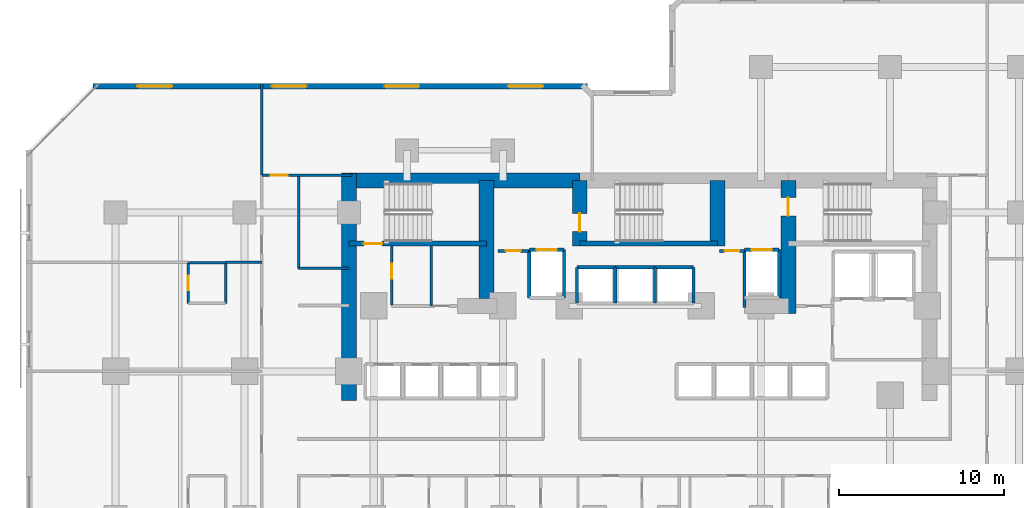
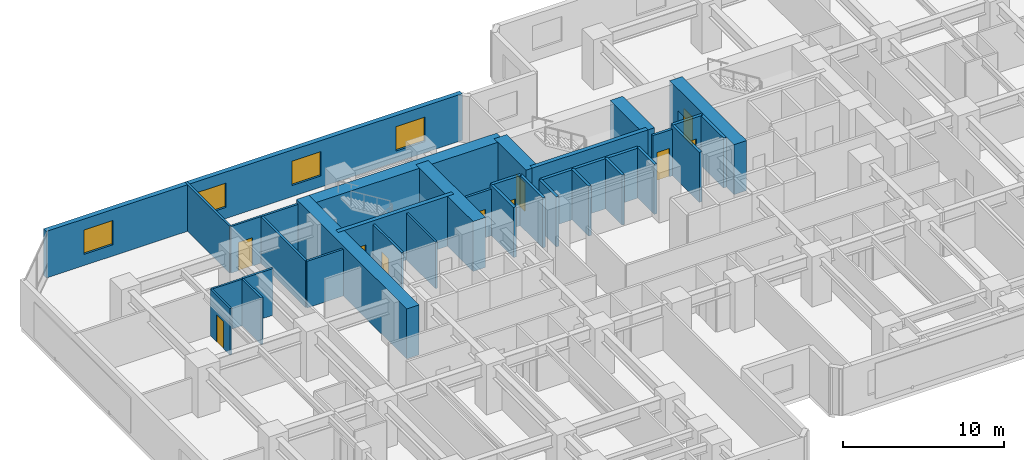
# One storey, part 8 of 12: 34 walls, 10 doors, 4 windows, 14 openings.
"""IFC4 building model written with IfcOpenShell, lengths in metres."""

from ifc_helpers import new_model, si_unit, direction, frame, frame_2d, origin, place, context, subcontext, project, spatial, rectangle, extrude, material, layer, layer_set, type_object, element, fill, save


model = new_model("IFC4")

# Units and contexts
model_context = context("Model", 3, precision=1e-05, world=origin(), true_north=direction((0.0, 1.0)))
body_context = subcontext(model_context, "Body", "Model", "MODEL_VIEW")
ifc_project = project(units=[si_unit("LENGTHUNIT", "METRE"), si_unit("AREAUNIT", "SQUARE_METRE"), si_unit("VOLUMEUNIT", "CUBIC_METRE"), si_unit("PLANEANGLEUNIT", "RADIAN"), si_unit("MASSUNIT", "GRAM", prefix="KILO")], contexts=[model_context])

# Site, building, storey
site_placement = place(None, origin())
site = spatial("IfcSite", under=ifc_project, at=site_placement, CompositionType="ELEMENT")
building_placement = place(site_placement, origin())
building = spatial("IfcBuilding", under=site, at=building_placement, Name="Kestravale Grand Hotel", CompositionType="ELEMENT")
storey_placement = place(building_placement, frame((0.0, 0.0, 33.60009765625)))
storey = spatial("IfcBuildingStorey", under=building, at=storey_placement, Name="L07", CompositionType="ELEMENT", Elevation=33.60009765625)

# Walls
ifc_material_1 = material(Name="Concrete f'c 70 MPa", Category="concrete")
ifc_layer_1 = layer(ifc_material_1, 0.89990234375)
ifc_layer_set_1 = layer_set([ifc_layer_1], Name="EW-CORE-900")
wall_type_1 = type_object("IfcWallType", Name="EW-CORE-900", PredefinedType="SHEAR", material=ifc_layer_set_1)
wall_1_placement = place(storey_placement, frame((21.449951171875, 40.320068359375, 0.0), z_axis=(0.0, 0.0, 1.0), x_axis=(1.0, 0.0, 0.0)))
element("IfcWall", 1, at=wall_1_placement, inside=storey, type_object=wall_type_1, Name="L07 core shear wall N1", PredefinedType="SHEAR", context=body_context, shape_type="SweptSolid", body=[
    extrude(rectangle(XDim=14.400146484375, YDim=0.89990234375, at=frame_2d((7.2001953125, 0.0))), origin(), (0.0, 0.0, 1.0), 3.7998046875),
])
wall_2_placement = place(storey_placement, frame((21.89990234375, 27.050048828125, 0.0), z_axis=(0.0, 0.0, 1.0), x_axis=(0.0, 1.0, 0.0)))
element("IfcWall", 2, at=wall_2_placement, inside=storey, type_object=wall_type_1, Name="L07 core shear wall W1", PredefinedType="SHEAR", context=body_context, shape_type="SweptSolid", body=[
    extrude(rectangle(XDim=13.719970703125, YDim=0.89990234375, at=frame_2d((6.85986328125, 0.0))), origin(), (0.0, 0.0, 1.0), 3.7998046875),
])
wall_3_placement = place(storey_placement, frame((30.219970703125, 33.199951171875, 0.0), z_axis=(0.0, 0.0, 1.0), x_axis=(0.0, 1.0, 0.0)))
element("IfcWall", 3, at=wall_3_placement, inside=storey, type_object=wall_type_1, Name="L07 core shear wall X1", PredefinedType="SHEAR", context=body_context, shape_type="SweptSolid", body=[
    extrude(rectangle(XDim=7.1201171875, YDim=0.89990234375, at=frame_2d((3.56005859375, 0.0))), origin(), (0.0, 0.0, 1.0), 3.7998046875),
])

# Wall, opening, door
wall_4_placement = place(storey_placement, frame((35.85009765625, 36.3701171875, 0.0), z_axis=(0.0, 0.0, 1.0), x_axis=(0.0, 1.0, 0.0)))
wall_4 = element("IfcWall", 4, at=wall_4_placement, inside=storey, type_object=wall_type_1, Name="L07 core shear wall X2", PredefinedType="SHEAR", context=body_context, shape_type="SweptSolid", body=[
    extrude(rectangle(XDim=3.949951171875, YDim=0.89990234375, at=frame_2d((1.97509765625, 0.0))), origin(), (0.0, 0.0, 1.0), 3.7998046875),
])
opening_1_placement = place(wall_4_placement, frame((0.8798828125, 0.0, 0.0)))
opening_1 = element("IfcOpeningElement", 5, at=opening_1_placement, cuts=wall_4, Name="Opening D-ST-1100", PredefinedType="OPENING", context=body_context, shape_type="SweptSolid", body=[
    extrude(rectangle(XDim=1.10009765625, YDim=2.14990234375, at=frame_2d((0.550048828125, 1.074951171875))), frame((0.0, 0.4599609375, 0.0), z_axis=(0.0, -1.0, 0.0), x_axis=(1.0, 0.0, 0.0)), (0.0, 0.0, 1.0), 0.919921875),
])
ifc_material_2 = material(Name="Galvanised 90-minute fire-rated steel stair door", Category="steel")
door_type_1 = type_object("IfcDoorType", Name="D-ST-1100", OperationType="NOTDEFINED", PredefinedType="DOOR", material=ifc_material_2)
door_1_placement = place(opening_1_placement, origin())
door_1 = element("IfcDoor", 6, at=door_1_placement, inside=storey, type_object=door_type_1, Name="L07 Stair ST-2 FSAE fire door", OperationType="SINGLE_SWING_RIGHT", OverallHeight=2.14990234375, OverallWidth=1.10009765625, PredefinedType="DOOR", context=body_context, shape_type="SweptSolid", body=[
    extrude(rectangle(XDim=1.10009765625, YDim=2.14990234375, at=frame_2d((0.550048828125, 1.074951171875))), frame((0.0, 0.02490234375, 0.0), z_axis=(0.0, -1.0, 0.0), x_axis=(1.0, 0.0, 0.0)), (0.0, 0.0, 1.0), 0.050048828125),
])
fill(opening_1, door_1)

# Wall
wall_5_placement = place(storey_placement, frame((44.179931640625, 36.3701171875, 0.0), z_axis=(0.0, 0.0, 1.0), x_axis=(0.0, 1.0, 0.0)))
element("IfcWall", 7, at=wall_5_placement, inside=storey, type_object=wall_type_1, Name="L07 core shear wall X3", PredefinedType="SHEAR", context=body_context, shape_type="SweptSolid", body=[
    extrude(rectangle(XDim=3.949951171875, YDim=0.89990234375, at=frame_2d((1.97509765625, 0.0))), origin(), (0.0, 0.0, 1.0), 3.7998046875),
])

# Wall, opening, door
wall_6_placement = place(storey_placement, frame((48.449951171875, 32.300048828125, 0.0), z_axis=(0.0, 0.0, 1.0), x_axis=(0.0, 1.0, 0.0)))
wall_6 = element("IfcWall", 8, at=wall_6_placement, inside=storey, type_object=wall_type_1, Name="L07 core shear wall X4", PredefinedType="SHEAR", context=body_context, shape_type="SweptSolid", body=[
    extrude(rectangle(XDim=8.02001953125, YDim=0.89990234375, at=frame_2d((4.010009765625, 0.0))), origin(), (0.0, 0.0, 1.0), 3.7998046875),
])
opening_2_placement = place(wall_6_placement, frame((5.89990234375, 0.0, 0.0)))
opening_2 = element("IfcOpeningElement", 9, at=opening_2_placement, cuts=wall_6, Name="Opening D-ST-1100", PredefinedType="OPENING", context=body_context, shape_type="SweptSolid", body=[
    extrude(rectangle(XDim=1.10009765625, YDim=2.14990234375, at=frame_2d((0.550048828125, 1.074951171875))), frame((0.0, 0.4599609375, 0.0), z_axis=(0.0, -1.0, 0.0), x_axis=(1.0, 0.0, 0.0)), (0.0, 0.0, 1.0), 0.919921875),
])
door_2_placement = place(opening_2_placement, origin())
door_2 = element("IfcDoor", 10, at=door_2_placement, inside=storey, type_object=door_type_1, Name="L07 Stair ST-3 FSAE fire door", OperationType="SINGLE_SWING_RIGHT", OverallHeight=2.14990234375, OverallWidth=1.10009765625, PredefinedType="DOOR", context=body_context, shape_type="SweptSolid", body=[
    extrude(rectangle(XDim=1.10009765625, YDim=2.14990234375, at=frame_2d((0.550048828125, 1.074951171875))), frame((0.0, 0.02490234375, 0.0), z_axis=(0.0, -1.0, 0.0), x_axis=(1.0, 0.0, 0.0)), (0.0, 0.0, 1.0), 0.050048828125),
])
fill(opening_2, door_2)

# Wall, openings, windows
ifc_material_3 = material(Name="Precast concrete f'c 45 MPa", Category="concrete")
ifc_layer_2 = layer(ifc_material_3, 0.340087890625)
ifc_layer_set_2 = layer_set([ifc_layer_2], Name="EW-PREC-340")
wall_type_2 = type_object("IfcWallType", Name="EW-PREC-340", PredefinedType="SOLIDWALL", material=ifc_layer_set_2)
wall_7_placement = place(storey_placement, frame((36.320068359375, 46.030029296875, 0.0), z_axis=(0.0, 0.0, 1.0), x_axis=(-1.0, 0.0, 0.0)))
wall_7 = element("IfcWall", 11, at=wall_7_placement, inside=storey, type_object=wall_type_2, Name="L07 fluted precast facade wall 17", PredefinedType="SOLIDWALL", context=body_context, shape_type="SweptSolid", body=[
    extrude(rectangle(XDim=29.89013671875, YDim=0.340087890625, at=frame_2d((14.945068359375, 0.0))), origin(), (0.0, 0.0, 1.0), 3.539794921875),
])
opening_3_placement = place(wall_7_placement, frame((2.686279296875, 0.0, 0.85009765625)))
opening_3 = element("IfcOpeningElement", 12, at=opening_3_placement, cuts=wall_7, Name="Opening W-GUEST-2100", PredefinedType="OPENING", context=body_context, shape_type="SweptSolid", body=[
    extrude(rectangle(XDim=2.10009765625, YDim=1.85009765625, at=frame_2d((1.050048828125, 0.925048828125))), frame((0.0, 0.179931640625, 0.0), z_axis=(0.0, -1.0, 0.0), x_axis=(1.0, 0.0, 0.0)), (0.0, 0.0, 1.0), 0.360107421875),
])
opening_4_placement = place(wall_7_placement, frame((10.15869140625, 0.0, 0.85009765625)))
opening_4 = element("IfcOpeningElement", 13, at=opening_4_placement, cuts=wall_7, Name="Opening W-GUEST-2100", PredefinedType="OPENING", context=body_context, shape_type="SweptSolid", body=[
    extrude(rectangle(XDim=2.10009765625, YDim=1.85009765625, at=frame_2d((1.050048828125, 0.925048828125))), frame((0.0, 0.179931640625, 0.0), z_axis=(0.0, -1.0, 0.0), x_axis=(1.0, 0.0, 0.0)), (0.0, 0.0, 1.0), 0.360107421875),
])
opening_5_placement = place(wall_7_placement, frame((16.981201171875, 0.0, 0.85009765625)))
opening_5 = element("IfcOpeningElement", 14, at=opening_5_placement, cuts=wall_7, Name="Opening W-GUEST-2100", PredefinedType="OPENING", context=body_context, shape_type="SweptSolid", body=[
    extrude(rectangle(XDim=2.10009765625, YDim=1.85009765625, at=frame_2d((1.050048828125, 0.925048828125))), frame((0.0, 0.179931640625, 0.0), z_axis=(0.0, -1.0, 0.0), x_axis=(1.0, 0.0, 0.0)), (0.0, 0.0, 1.0), 0.360107421875),
])
opening_6_placement = place(wall_7_placement, frame((25.103759765625, 0.0, 0.85009765625)))
opening_6 = element("IfcOpeningElement", 15, at=opening_6_placement, cuts=wall_7, Name="Opening W-GUEST-2100", PredefinedType="OPENING", context=body_context, shape_type="SweptSolid", body=[
    extrude(rectangle(XDim=2.10009765625, YDim=1.85009765625, at=frame_2d((1.050048828125, 0.925048828125))), frame((0.0, 0.179931640625, 0.0), z_axis=(0.0, -1.0, 0.0), x_axis=(1.0, 0.0, 0.0)), (0.0, 0.0, 1.0), 0.360107421875),
])
ifc_material_4 = material(Name="Insulated low-E double glazing in aluminium frame", Category="aluminium")
window_type = type_object("IfcWindowType", Name="W-GUEST-2100", PartitioningType="DOUBLE_PANEL_VERTICAL", PredefinedType="WINDOW", material=ifc_material_4)
window_1_placement = place(opening_3_placement, origin())
window_1 = element("IfcWindow", 16, at=window_1_placement, inside=storey, type_object=window_type, Name="L07 exterior window 17.1", OverallHeight=1.85009765625, OverallWidth=2.10009765625, PartitioningType="SINGLE_PANEL", PredefinedType="WINDOW", context=body_context, shape_type="SweptSolid", body=[
    extrude(rectangle(XDim=2.10009765625, YDim=1.85009765625, at=frame_2d((1.050048828125, 0.925048828125))), frame((0.0, 0.030029296875, 0.0), z_axis=(0.0, -1.0, 0.0), x_axis=(1.0, 0.0, 0.0)), (0.0, 0.0, 1.0), 0.06005859375),
])
fill(opening_3, window_1)
window_2_placement = place(opening_4_placement, origin())
window_2 = element("IfcWindow", 17, at=window_2_placement, inside=storey, type_object=window_type, Name="L07 exterior window 17.2", OverallHeight=1.85009765625, OverallWidth=2.10009765625, PartitioningType="SINGLE_PANEL", PredefinedType="WINDOW", context=body_context, shape_type="SweptSolid", body=[
    extrude(rectangle(XDim=2.10009765625, YDim=1.85009765625, at=frame_2d((1.050048828125, 0.925048828125))), frame((0.0, 0.030029296875, 0.0), z_axis=(0.0, -1.0, 0.0), x_axis=(1.0, 0.0, 0.0)), (0.0, 0.0, 1.0), 0.06005859375),
])
fill(opening_4, window_2)
window_3_placement = place(opening_5_placement, origin())
window_3 = element("IfcWindow", 18, at=window_3_placement, inside=storey, type_object=window_type, Name="L07 exterior window 17.3", OverallHeight=1.85009765625, OverallWidth=2.10009765625, PartitioningType="SINGLE_PANEL", PredefinedType="WINDOW", context=body_context, shape_type="SweptSolid", body=[
    extrude(rectangle(XDim=2.10009765625, YDim=1.85009765625, at=frame_2d((1.050048828125, 0.925048828125))), frame((0.0, 0.030029296875, 0.0), z_axis=(0.0, -1.0, 0.0), x_axis=(1.0, 0.0, 0.0)), (0.0, 0.0, 1.0), 0.06005859375),
])
fill(opening_5, window_3)
window_4_placement = place(opening_6_placement, origin())
window_4 = element("IfcWindow", 19, at=window_4_placement, inside=storey, type_object=window_type, Name="L07 exterior window 17.4", OverallHeight=1.85009765625, OverallWidth=2.10009765625, PartitioningType="SINGLE_PANEL", PredefinedType="WINDOW", context=body_context, shape_type="SweptSolid", body=[
    extrude(rectangle(XDim=2.10009765625, YDim=1.85009765625, at=frame_2d((1.050048828125, 0.925048828125))), frame((0.0, 0.030029296875, 0.0), z_axis=(0.0, -1.0, 0.0), x_axis=(1.0, 0.0, 0.0)), (0.0, 0.0, 1.0), 0.06005859375),
])
fill(opening_6, window_4)

# Wall, opening, door
ifc_material_5 = material(Name="Concrete f'c 45 MPa", Category="concrete")
ifc_layer_3 = layer(ifc_material_5, 0.300048828125)
ifc_layer_set_3 = layer_set([ifc_layer_3], Name="EW-STAIR-300")
wall_type_3 = type_object("IfcWallType", Name="EW-STAIR-300", PredefinedType="SHEAR", material=ifc_layer_set_3)
wall_8_placement = place(storey_placement, frame((21.89990234375, 36.52001953125, 0.0), z_axis=(0.0, 0.0, 1.0), x_axis=(1.0, 0.0, 0.0)))
wall_8 = element("IfcWall", 20, at=wall_8_placement, inside=storey, type_object=wall_type_3, Name="L07 stair enclosure shear wall SST1", PredefinedType="SHEAR", context=body_context, shape_type="SweptSolid", body=[
    extrude(rectangle(XDim=8.320068359375, YDim=0.300048828125, at=frame_2d((4.16015625, 0.0))), origin(), (0.0, 0.0, 1.0), 3.7998046875),
])
opening_7_placement = place(wall_8_placement, frame((0.89990234375, 0.0, 0.0)))
opening_7 = element("IfcOpeningElement", 21, at=opening_7_placement, cuts=wall_8, Name="Opening D-ST-1100", PredefinedType="OPENING", context=body_context, shape_type="SweptSolid", body=[
    extrude(rectangle(XDim=1.10009765625, YDim=2.14990234375, at=frame_2d((0.550048828125, 1.074951171875))), frame((0.0, 0.159912109375, 0.0), z_axis=(0.0, -1.0, 0.0), x_axis=(1.0, 0.0, 0.0)), (0.0, 0.0, 1.0), 0.320068359375),
])
door_3_placement = place(opening_7_placement, origin())
door_3 = element("IfcDoor", 22, at=door_3_placement, inside=storey, type_object=door_type_1, Name="L07 Stair ST-1 fire door", OperationType="SINGLE_SWING_RIGHT", OverallHeight=2.14990234375, OverallWidth=1.10009765625, PredefinedType="DOOR", context=body_context, shape_type="SweptSolid", body=[
    extrude(rectangle(XDim=1.10009765625, YDim=2.14990234375, at=frame_2d((0.550048828125, 1.074951171875))), frame((0.0, 0.02490234375, 0.0), z_axis=(0.0, -1.0, 0.0), x_axis=(1.0, 0.0, 0.0)), (0.0, 0.0, 1.0), 0.050048828125),
])
fill(opening_7, door_3)

# Wall
wall_9_placement = place(storey_placement, frame((35.85009765625, 36.52001953125, 0.0), z_axis=(0.0, 0.0, 1.0), x_axis=(1.0, 0.0, 0.0)))
element("IfcWall", 23, at=wall_9_placement, inside=storey, type_object=wall_type_3, Name="L07 stair enclosure shear wall SST2", PredefinedType="SHEAR", context=body_context, shape_type="SweptSolid", body=[
    extrude(rectangle(XDim=8.329833984375, YDim=0.300048828125, at=frame_2d((4.1650390625, 0.0))), origin(), (0.0, 0.0, 1.0), 3.7998046875),
])

# Wall, opening, door
ifc_material_6 = material(Name="Acoustic fire-rated gypsum board partition", Category="other")
ifc_layer_4 = layer(ifc_material_6, 0.159912109375)
ifc_layer_set_4 = layer_set([ifc_layer_4], Name="IW-CORR-160")
wall_type_4 = type_object("IfcWallType", Name="IW-CORR-160", PredefinedType="PARTITIONING", material=ifc_layer_set_4)
wall_10_placement = place(storey_placement, frame((24.47998046875, 32.800048828125, 0.0), z_axis=(0.0, 0.0, 1.0), x_axis=(0.0, 1.0, 0.0)))
wall_10 = element("IfcWall", 24, at=wall_10_placement, inside=storey, type_object=wall_type_4, Name="L07 west core vestibule wall", PredefinedType="PARTITIONING", context=body_context, shape_type="SweptSolid", body=[
    extrude(rectangle(XDim=3.570068359375, YDim=0.159912109375, at=frame_2d((1.78515625, 0.0))), origin(), (0.0, 0.0, 1.0), 3.539794921875),
])
opening_8_placement = place(wall_10_placement, frame((1.603515625, 0.0, 0.0)))
opening_8 = element("IfcOpeningElement", 25, at=opening_8_placement, cuts=wall_10, Name="Opening D-SH-900", PredefinedType="OPENING", context=body_context, shape_type="SweptSolid", body=[
    extrude(rectangle(XDim=0.89990234375, YDim=2.10009765625, at=frame_2d((0.449951171875, 1.050048828125))), frame((0.0, 0.08984375, 0.0), z_axis=(0.0, -1.0, 0.0), x_axis=(1.0, 0.0, 0.0)), (0.0, 0.0, 1.0), 0.179931640625),
])
ifc_material_7 = material(Name="Galvanised 90-minute shaft and service fire door", Category="steel")
door_type_2 = type_object("IfcDoorType", Name="D-SH-900", OperationType="NOTDEFINED", PredefinedType="DOOR", material=ifc_material_7)
door_4_placement = place(opening_8_placement, origin())
door_4 = element("IfcDoor", 26, at=door_4_placement, inside=storey, type_object=door_type_2, Name="D-L07-HK", OperationType="SINGLE_SWING_RIGHT", OverallHeight=2.10009765625, OverallWidth=0.89990234375, PredefinedType="DOOR", context=body_context, shape_type="SweptSolid", body=[
    extrude(rectangle(XDim=0.89990234375, YDim=2.10009765625, at=frame_2d((0.449951171875, 1.050048828125))), frame((0.0, 0.02490234375, 0.0), z_axis=(0.0, -1.0, 0.0), x_axis=(1.0, 0.0, 0.0)), (0.0, 0.0, 1.0), 0.050048828125),
])
fill(opening_8, door_4)

# Walls
wall_11_placement = place(storey_placement, frame((18.860107421875, 35.02001953125, 0.0), z_axis=(0.0, 0.0, 1.0), x_axis=(0.0, 1.0, 0.0)))
element("IfcWall", 27, at=wall_11_placement, inside=storey, type_object=wall_type_4, Name="W-L07-SW-EN", PredefinedType="PARTITIONING", context=body_context, shape_type="SweptSolid", body=[
    extrude(rectangle(XDim=5.6298828125, YDim=0.159912109375, at=frame_2d((2.81494140625, 0.0))), origin(), (0.0, 0.0, 1.0), 3.539794921875),
])
wall_12_placement = place(storey_placement, frame((18.860107421875, 35.02001953125, 0.0), z_axis=(0.0, 0.0, 1.0), x_axis=(1.0, 0.0, 0.0)))
element("IfcWall", 28, at=wall_12_placement, inside=storey, type_object=wall_type_4, Name="W-L07-SW-CN", PredefinedType="PARTITIONING", context=body_context, shape_type="SweptSolid", body=[
    extrude(rectangle(XDim=3.039794921875, YDim=0.159912109375, at=frame_2d((1.52001953125, 0.0))), origin(), (0.0, 0.0, 1.0), 3.539794921875),
])

# Wall, opening, door
ifc_material_8 = material(Name="Fire-rated gypsum board on steel studs with mineral wool", Category="steel")
ifc_layer_5 = layer(ifc_material_8, 0.179931640625)
ifc_layer_set_5 = layer_set([ifc_layer_5], Name="IW-FSAE-180")
wall_type_5 = type_object("IfcWallType", Name="IW-FSAE-180", PredefinedType="PARTITIONING", material=ifc_layer_set_5)
wall_13_placement = place(storey_placement, frame((30.89990234375, 36.080078125, 0.0), z_axis=(0.0, 0.0, 1.0), x_axis=(1.0, 0.0, 0.0)))
wall_13 = element("IfcWall", 29, at=wall_13_placement, inside=storey, type_object=wall_type_5, Name="L07 FSAE Lobby 1 smoke barrier", PredefinedType="PARTITIONING", context=body_context, shape_type="SweptSolid", body=[
    extrude(rectangle(XDim=1.85009765625, YDim=0.179931640625, at=frame_2d((0.925048828125, 0.0))), origin(), (0.0, 0.0, 1.0), 3.539794921875),
])
opening_9_placement = place(wall_13_placement, frame((0.47998046875, 0.0, 0.0)))
opening_9 = element("IfcOpeningElement", 30, at=opening_9_placement, cuts=wall_13, Name="Opening D-FSAE-1000", PredefinedType="OPENING", context=body_context, shape_type="SweptSolid", body=[
    extrude(rectangle(XDim=0.89990234375, YDim=2.14990234375, at=frame_2d((0.449951171875, 1.074951171875))), frame((0.0, 0.099853515625, 0.0), z_axis=(0.0, -1.0, 0.0), x_axis=(1.0, 0.0, 0.0)), (0.0, 0.0, 1.0), 0.199951171875),
])
ifc_material_9 = material(Name="Smoke-gasketed FSAE lobby fire door", Category="steel")
door_type_3 = type_object("IfcDoorType", Name="D-FSAE-1000", OperationType="NOTDEFINED", PredefinedType="DOOR", material=ifc_material_9)
door_5_placement = place(opening_9_placement, origin())
door_5 = element("IfcDoor", 31, at=door_5_placement, inside=storey, type_object=door_type_3, Name="L07 FSAE Lobby 1 fire door", OperationType="SINGLE_SWING_RIGHT", OverallHeight=2.14990234375, OverallWidth=0.89990234375, PredefinedType="DOOR", context=body_context, shape_type="SweptSolid", body=[
    extrude(rectangle(XDim=0.89990234375, YDim=2.14990234375, at=frame_2d((0.449951171875, 1.074951171875))), frame((0.0, 0.02490234375, 0.0), z_axis=(0.0, -1.0, 0.0), x_axis=(1.0, 0.0, 0.0)), (0.0, 0.0, 1.0), 0.050048828125),
])
fill(opening_9, door_5)

wall_14_placement = place(storey_placement, frame((44.300048828125, 36.080078125, 0.0), z_axis=(0.0, 0.0, 1.0), x_axis=(1.0, 0.0, 0.0)))
wall_14 = element("IfcWall", 32, at=wall_14_placement, inside=storey, type_object=wall_type_5, Name="L07 FSAE Lobby 2 smoke barrier", PredefinedType="PARTITIONING", context=body_context, shape_type="SweptSolid", body=[
    extrude(rectangle(XDim=1.5, YDim=0.179931640625, at=frame_2d((0.75, 0.0))), origin(), (0.0, 0.0, 1.0), 3.539794921875),
])
opening_10_placement = place(wall_14_placement, frame((0.300048828125, 0.0, 0.0)))
opening_10 = element("IfcOpeningElement", 33, at=opening_10_placement, cuts=wall_14, Name="Opening D-FSAE-1000", PredefinedType="OPENING", context=body_context, shape_type="SweptSolid", body=[
    extrude(rectangle(XDim=0.89990234375, YDim=2.14990234375, at=frame_2d((0.449951171875, 1.074951171875))), frame((0.0, 0.099853515625, 0.0), z_axis=(0.0, -1.0, 0.0), x_axis=(1.0, 0.0, 0.0)), (0.0, 0.0, 1.0), 0.199951171875),
])
door_6_placement = place(opening_10_placement, origin())
door_6 = element("IfcDoor", 34, at=door_6_placement, inside=storey, type_object=door_type_3, Name="L07 FSAE Lobby 2 fire door", OperationType="SINGLE_SWING_LEFT", OverallHeight=2.14990234375, OverallWidth=0.89990234375, PredefinedType="DOOR", context=body_context, shape_type="SweptSolid", body=[
    extrude(rectangle(XDim=0.89990234375, YDim=2.14990234375, at=frame_2d((0.449951171875, 1.074951171875))), frame((0.0, 0.02490234375, 0.0), z_axis=(0.0, -1.0, 0.0), x_axis=(1.0, 0.0, 0.0)), (0.0, 0.0, 1.0), 0.050048828125),
])
fill(opening_10, door_6)

ifc_material_10 = material(Name="Moisture-resistant tile-backer plumbing chase wall", Category="other")
ifc_layer_6 = layer(ifc_material_10, 0.139892578125)
ifc_layer_set_6 = layer_set([ifc_layer_6], Name="IW-PLB-140")
wall_type_6 = type_object("IfcWallType", Name="IW-PLB-140", PredefinedType="PLUMBINGWALL", material=ifc_layer_set_6)
wall_15_placement = place(storey_placement, frame((12.199951171875, 32.909912109375, 0.0), z_axis=(0.0, 0.0, 1.0), x_axis=(0.0, 1.0, 0.0)))
wall_15 = element("IfcWall", 35, at=wall_15_placement, inside=storey, type_object=wall_type_6, Name="W-L07-U09-BW", PredefinedType="PLUMBINGWALL", context=body_context, shape_type="SweptSolid", body=[
    extrude(rectangle(XDim=2.4501953125, YDim=0.139892578125, at=frame_2d((1.22509765625, 0.0))), origin(), (0.0, 0.0, 1.0), 3.539794921875),
])
opening_11_placement = place(wall_15_placement, frame((0.784912109375, 0.0, 0.0)))
opening_11 = element("IfcOpeningElement", 36, at=opening_11_placement, cuts=wall_15, Name="Opening D-BATH-880", PredefinedType="OPENING", context=body_context, shape_type="SweptSolid", body=[
    extrude(rectangle(XDim=0.8798828125, YDim=2.050048828125, at=frame_2d((0.43994140625, 1.02490234375))), frame((0.0, 0.079833984375, 0.0), z_axis=(0.0, -1.0, 0.0), x_axis=(1.0, 0.0, 0.0)), (0.0, 0.0, 1.0), 0.159912109375),
])
ifc_material_11 = material(Name="Moisture-sealed walnut en-suite bathroom door", Category="wood")
door_type_4 = type_object("IfcDoorType", Name="D-BATH-880", OperationType="NOTDEFINED", PredefinedType="DOOR", material=ifc_material_11)
door_7_placement = place(opening_11_placement, origin())
door_7 = element("IfcDoor", 37, at=door_7_placement, inside=storey, type_object=door_type_4, Name="D-L07-U09-BATH", OperationType="SINGLE_SWING_LEFT", OverallHeight=2.050048828125, OverallWidth=0.8798828125, PredefinedType="DOOR", context=body_context, shape_type="SweptSolid", body=[
    extrude(rectangle(XDim=0.8798828125, YDim=2.050048828125, at=frame_2d((0.43994140625, 1.02490234375))), frame((0.0, 0.02490234375, 0.0), z_axis=(0.0, -1.0, 0.0), x_axis=(1.0, 0.0, 0.0)), (0.0, 0.0, 1.0), 0.050048828125),
])
fill(opening_11, door_7)

# Walls
wall_16_placement = place(storey_placement, frame((14.449951171875, 32.909912109375, 0.0), z_axis=(0.0, 0.0, 1.0), x_axis=(0.0, 1.0, 0.0)))
element("IfcWall", 38, at=wall_16_placement, inside=storey, type_object=wall_type_6, Name="W-L07-U09-BE", PredefinedType="PLUMBINGWALL", context=body_context, shape_type="SweptSolid", body=[
    extrude(rectangle(XDim=2.4501953125, YDim=0.139892578125, at=frame_2d((1.22509765625, 0.0))), origin(), (0.0, 0.0, 1.0), 3.539794921875),
])
wall_17_placement = place(storey_placement, frame((12.199951171875, 35.360107421875, 0.0), z_axis=(0.0, 0.0, 1.0), x_axis=(1.0, 0.0, 0.0)))
element("IfcWall", 39, at=wall_17_placement, inside=storey, type_object=wall_type_6, Name="W-L07-U09-BN", PredefinedType="PLUMBINGWALL", context=body_context, shape_type="SweptSolid", body=[
    extrude(rectangle(XDim=2.25, YDim=0.139892578125, at=frame_2d((1.125, 0.0))), origin(), (0.0, 0.0, 1.0), 3.539794921875),
])
ifc_material_12 = material(Name="Concrete f'c 45 MPa", Category="concrete")
ifc_layer_7 = layer(ifc_material_12, 0.199951171875)
ifc_layer_set_7 = layer_set([ifc_layer_7], Name="IW-SHAFT-200")
wall_type_7 = type_object("IfcWallType", Name="IW-SHAFT-200", PredefinedType="SHEAR", material=ifc_layer_set_7)
for number, where, z_axis, x_axis, name in (
    (40, (35.679931640625, 32.919921875, 0.0), (0.0, 0.0, 1.0), (0.0, 1.0, 0.0), "L07 PL-X1 west shaft wall"),
    (41, (38.0, 32.919921875, 0.0), (0.0, 0.0, 1.0), (0.0, 1.0, 0.0), "L07 PL-X2 west shaft wall"),
    (42, (40.39990234375, 32.919921875, 0.0), (0.0, 0.0, 1.0), (0.0, 1.0, 0.0), "L07 PL-X3 west shaft wall"),
    (43, (42.719970703125, 32.919921875, 0.0), (0.0, 0.0, 1.0), (0.0, 1.0, 0.0), "L07 PL-X3 east shaft wall"),
):
    element("IfcWall", number, at=place(storey_placement, frame(where, z_axis=z_axis, x_axis=x_axis)), inside=storey, type_object=wall_type_7, Name=name, PredefinedType="SHEAR", context=body_context, shape_type="SweptSolid", body=[
        extrude(rectangle(XDim=2.16015625, YDim=0.199951171875, at=frame_2d((1.080078125, 0.0))), origin(), (0.0, 0.0, 1.0), 3.7998046875),
    ])
for number, where, z_axis, x_axis, name in (
    (44, (32.804931640625, 33.2451171875, 0.0), (0.0, 0.0, 1.0), (0.0, 1.0, 0.0), "L07 FL-1 west shaft wall"),
    (45, (34.89501953125, 33.2451171875, 0.0), (0.0, 0.0, 1.0), (0.0, 1.0, 0.0), "L07 FL-1 east shaft wall"),
):
    element("IfcWall", number, at=place(storey_placement, frame(where, z_axis=z_axis, x_axis=x_axis)), inside=storey, type_object=wall_type_7, Name=name, PredefinedType="SHEAR", context=body_context, shape_type="SweptSolid", body=[
        extrude(rectangle(XDim=2.909912109375, YDim=0.199951171875, at=frame_2d((1.455078125, 0.0))), origin(), (0.0, 0.0, 1.0), 3.7998046875),
    ])
wall_18_placement = place(storey_placement, frame((45.804931640625, 32.64990234375, 0.0), z_axis=(0.0, 0.0, 1.0), x_axis=(0.0, 1.0, 0.0)))
element("IfcWall", 46, at=wall_18_placement, inside=storey, type_object=wall_type_7, Name="L07 FL-2 west shaft wall", PredefinedType="SHEAR", context=body_context, shape_type="SweptSolid", body=[
    extrude(rectangle(XDim=3.505126953125, YDim=0.199951171875, at=frame_2d((1.75244140625, 0.0))), origin(), (0.0, 0.0, 1.0), 3.7998046875),
])
wall_19_placement = place(storey_placement, frame((47.89501953125, 33.2451171875, 0.0), z_axis=(0.0, 0.0, 1.0), x_axis=(0.0, 1.0, 0.0)))
element("IfcWall", 47, at=wall_19_placement, inside=storey, type_object=wall_type_7, Name="L07 FL-2 east shaft wall", PredefinedType="SHEAR", context=body_context, shape_type="SweptSolid", body=[
    extrude(rectangle(XDim=2.909912109375, YDim=0.199951171875, at=frame_2d((1.455078125, 0.0))), origin(), (0.0, 0.0, 1.0), 3.7998046875),
])
ifc_material_13 = material(Name="Concrete f'c 45 MPa", Category="concrete")
ifc_layer_8 = layer(ifc_material_13, 0.219970703125)
ifc_layer_set_8 = layer_set([ifc_layer_8], Name="IW-SHAFT-220")
wall_type_8 = type_object("IfcWallType", Name="IW-SHAFT-220", PredefinedType="SHEAR", material=ifc_layer_set_8)
wall_20_placement = place(storey_placement, frame((35.679931640625, 35.080078125, 0.0), z_axis=(0.0, 0.0, 1.0), x_axis=(1.0, 0.0, 0.0)))
element("IfcWall", 48, at=wall_20_placement, inside=storey, type_object=wall_type_8, Name="L07 PL-X1 north shaft wall", PredefinedType="SHEAR", context=body_context, shape_type="SweptSolid", body=[
    extrude(rectangle(XDim=2.320068359375, YDim=0.219970703125, at=frame_2d((1.16015625, 0.0))), origin(), (0.0, 0.0, 1.0), 3.7998046875),
])
wall_21_placement = place(storey_placement, frame((38.0, 35.080078125, 0.0), z_axis=(0.0, 0.0, 1.0), x_axis=(1.0, 0.0, 0.0)))
element("IfcWall", 49, at=wall_21_placement, inside=storey, type_object=wall_type_8, Name="L07 PL-X2 north shaft wall", PredefinedType="SHEAR", context=body_context, shape_type="SweptSolid", body=[
    extrude(rectangle(XDim=2.39990234375, YDim=0.219970703125, at=frame_2d((1.199951171875, 0.0))), origin(), (0.0, 0.0, 1.0), 3.7998046875),
])
wall_22_placement = place(storey_placement, frame((40.39990234375, 35.080078125, 0.0), z_axis=(0.0, 0.0, 1.0), x_axis=(1.0, 0.0, 0.0)))
element("IfcWall", 50, at=wall_22_placement, inside=storey, type_object=wall_type_8, Name="L07 PL-X3 north shaft wall", PredefinedType="SHEAR", context=body_context, shape_type="SweptSolid", body=[
    extrude(rectangle(XDim=2.320068359375, YDim=0.219970703125, at=frame_2d((1.16015625, 0.0))), origin(), (0.0, 0.0, 1.0), 3.7998046875),
])

# Wall, opening, door
wall_23_placement = place(storey_placement, frame((32.804931640625, 36.155029296875, 0.0), z_axis=(0.0, 0.0, 1.0), x_axis=(1.0, 0.0, 0.0)))
wall_23 = element("IfcWall", 51, at=wall_23_placement, inside=storey, type_object=wall_type_8, Name="L07 FL-1 north shaft wall", PredefinedType="SHEAR", context=body_context, shape_type="SweptSolid", body=[
    extrude(rectangle(XDim=2.090087890625, YDim=0.219970703125, at=frame_2d((1.044921875, 0.0))), origin(), (0.0, 0.0, 1.0), 3.7998046875),
])
opening_12_placement = place(wall_23_placement, frame((0.445068359375, 0.0, 0.0)))
opening_12 = element("IfcOpeningElement", 52, at=opening_12_placement, cuts=wall_23, Name="Opening LD-FSAE-1200", PredefinedType="OPENING", context=body_context, shape_type="SweptSolid", body=[
    extrude(rectangle(XDim=1.199951171875, YDim=2.14990234375, at=frame_2d((0.60009765625, 1.074951171875))), frame((0.0, 0.119873046875, 0.0), z_axis=(0.0, -1.0, 0.0), x_axis=(1.0, 0.0, 0.0)), (0.0, 0.0, 1.0), 0.239990234375),
])
ifc_material_14 = material(Name="Stainless fire-service sliding elevator landing door", Category="steel")
door_type_5 = type_object("IfcDoorType", Name="LD-FSAE-1200", OperationType="NOTDEFINED", PredefinedType="DOOR", material=ifc_material_14)
door_8_placement = place(opening_12_placement, origin())
door_8 = element("IfcDoor", 53, at=door_8_placement, inside=storey, type_object=door_type_5, Name="L07 FL-1 elevator landing sliding door", OperationType="DOUBLE_DOOR_SLIDING", OverallHeight=2.14990234375, OverallWidth=1.199951171875, PredefinedType="DOOR", context=body_context, shape_type="SweptSolid", body=[
    extrude(rectangle(XDim=1.199951171875, YDim=2.14990234375, at=frame_2d((0.60009765625, 1.074951171875))), frame((0.0, 0.02490234375, 0.0), z_axis=(0.0, -1.0, 0.0), x_axis=(1.0, 0.0, 0.0)), (0.0, 0.0, 1.0), 0.050048828125),
])
fill(opening_12, door_8)

wall_24_placement = place(storey_placement, frame((45.804931640625, 36.155029296875, 0.0), z_axis=(0.0, 0.0, 1.0), x_axis=(1.0, 0.0, 0.0)))
wall_24 = element("IfcWall", 54, at=wall_24_placement, inside=storey, type_object=wall_type_8, Name="L07 FL-2 north shaft wall", PredefinedType="SHEAR", context=body_context, shape_type="SweptSolid", body=[
    extrude(rectangle(XDim=2.090087890625, YDim=0.219970703125, at=frame_2d((1.044921875, 0.0))), origin(), (0.0, 0.0, 1.0), 3.7998046875),
])
opening_13_placement = place(wall_24_placement, frame((0.445068359375, 0.0, 0.0)))
opening_13 = element("IfcOpeningElement", 55, at=opening_13_placement, cuts=wall_24, Name="Opening LD-FSAE-1200", PredefinedType="OPENING", context=body_context, shape_type="SweptSolid", body=[
    extrude(rectangle(XDim=1.199951171875, YDim=2.14990234375, at=frame_2d((0.60009765625, 1.074951171875))), frame((0.0, 0.119873046875, 0.0), z_axis=(0.0, -1.0, 0.0), x_axis=(1.0, 0.0, 0.0)), (0.0, 0.0, 1.0), 0.239990234375),
])
door_9_placement = place(opening_13_placement, origin())
door_9 = element("IfcDoor", 56, at=door_9_placement, inside=storey, type_object=door_type_5, Name="L07 FL-2 elevator landing sliding door", OperationType="DOUBLE_DOOR_SLIDING", OverallHeight=2.14990234375, OverallWidth=1.199951171875, PredefinedType="DOOR", context=body_context, shape_type="SweptSolid", body=[
    extrude(rectangle(XDim=1.199951171875, YDim=2.14990234375, at=frame_2d((0.60009765625, 1.074951171875))), frame((0.0, 0.02490234375, 0.0), z_axis=(0.0, -1.0, 0.0), x_axis=(1.0, 0.0, 0.0)), (0.0, 0.0, 1.0), 0.050048828125),
])
fill(opening_13, door_9)

# Wall
ifc_material_15 = material(Name="Double-stud STC 52 acoustic demising partition", Category="other")
ifc_layer_9 = layer(ifc_material_15, 0.14990234375)
ifc_layer_set_9 = layer_set([ifc_layer_9], Name="IW-UNIT-150")
wall_type_9 = type_object("IfcWallType", Name="IW-UNIT-150", PredefinedType="PARTITIONING", material=ifc_layer_set_9)
wall_25_placement = place(storey_placement, frame((26.8798828125, 32.75, 0.0), z_axis=(0.0, 0.0, 1.0), x_axis=(0.0, 1.0, 0.0)))
element("IfcWall", 57, at=wall_25_placement, inside=storey, type_object=wall_type_9, Name="W-L07-CC3-V", PredefinedType="PARTITIONING", context=body_context, shape_type="SweptSolid", body=[
    extrude(rectangle(XDim=3.6201171875, YDim=0.14990234375, at=frame_2d((1.81005859375, 0.0))), origin(), (0.0, 0.0, 1.0), 3.539794921875),
])

# Wall, opening, door
wall_26_placement = place(storey_placement, frame((16.639892578125, 40.64990234375, 0.0), z_axis=(0.0, 0.0, 1.0), x_axis=(1.0, 0.0, 0.0)))
wall_26 = element("IfcWall", 58, at=wall_26_placement, inside=storey, type_object=wall_type_9, Name="W-L07-SW-N", PredefinedType="PARTITIONING", context=body_context, shape_type="SweptSolid", body=[
    extrude(rectangle(XDim=5.460205078125, YDim=0.14990234375, at=frame_2d((2.72998046875, 0.0))), origin(), (0.0, 0.0, 1.0), 3.539794921875),
])
opening_14_placement = place(wall_26_placement, frame((0.550048828125, 0.0, 0.0)))
opening_14 = element("IfcOpeningElement", 59, at=opening_14_placement, cuts=wall_26, Name="Opening D-GUEST-1000", PredefinedType="OPENING", context=body_context, shape_type="SweptSolid", body=[
    extrude(rectangle(XDim=1.0, YDim=2.14990234375, at=frame_2d((0.5, 1.074951171875))), frame((0.0, 0.0849609375, 0.0), z_axis=(0.0, -1.0, 0.0), x_axis=(1.0, 0.0, 0.0)), (0.0, 0.0, 1.0), 0.169921875),
])
ifc_material_16 = material(Name="Accessible walnut veneer hotel entrance fire door", Category="wood")
door_type_6 = type_object("IfcDoorType", Name="D-GUEST-1000", OperationType="NOTDEFINED", PredefinedType="DOOR", material=ifc_material_16)
door_10_placement = place(opening_14_placement, origin())
door_10 = element("IfcDoor", 60, at=door_10_placement, inside=storey, type_object=door_type_6, Name="L07 NW Gallery Door", OperationType="SINGLE_SWING_RIGHT", OverallHeight=2.14990234375, OverallWidth=1.0, PredefinedType="DOOR", context=body_context, shape_type="SweptSolid", body=[
    extrude(rectangle(XDim=1.0, YDim=2.14990234375, at=frame_2d((0.5, 1.074951171875))), frame((0.0, 0.02490234375, 0.0), z_axis=(0.0, -1.0, 0.0), x_axis=(1.0, 0.0, 0.0)), (0.0, 0.0, 1.0), 0.050048828125),
])
fill(opening_14, door_10)

# Walls
wall_27_placement = place(storey_placement, frame((16.639892578125, 40.64990234375, 0.0), z_axis=(0.0, 0.0, 1.0), x_axis=(0.0, 1.0, 0.0)))
element("IfcWall", 61, at=wall_27_placement, inside=storey, type_object=wall_type_9, Name="W-L07-NGW-W", PredefinedType="PARTITIONING", context=body_context, shape_type="SweptSolid", body=[
    extrude(rectangle(XDim=5.530029296875, YDim=0.14990234375, at=frame_2d((2.76513671875, 0.0))), origin(), (0.0, 0.0, 1.0), 3.539794921875),
])
wall_28_placement = place(storey_placement, frame((14.449951171875, 35.39990234375, 0.0), z_axis=(0.0, 0.0, 1.0), x_axis=(1.0, 0.0, 0.0)))
element("IfcWall", 62, at=wall_28_placement, inside=storey, type_object=wall_type_9, Name="W-L07-WW-4", PredefinedType="PARTITIONING", context=body_context, shape_type="SweptSolid", body=[
    extrude(rectangle(XDim=2.18994140625, YDim=0.14990234375, at=frame_2d((1.094970703125, 0.0))), origin(), (0.0, 0.0, 1.0), 3.539794921875),
])

save(model, "model.ifc")
